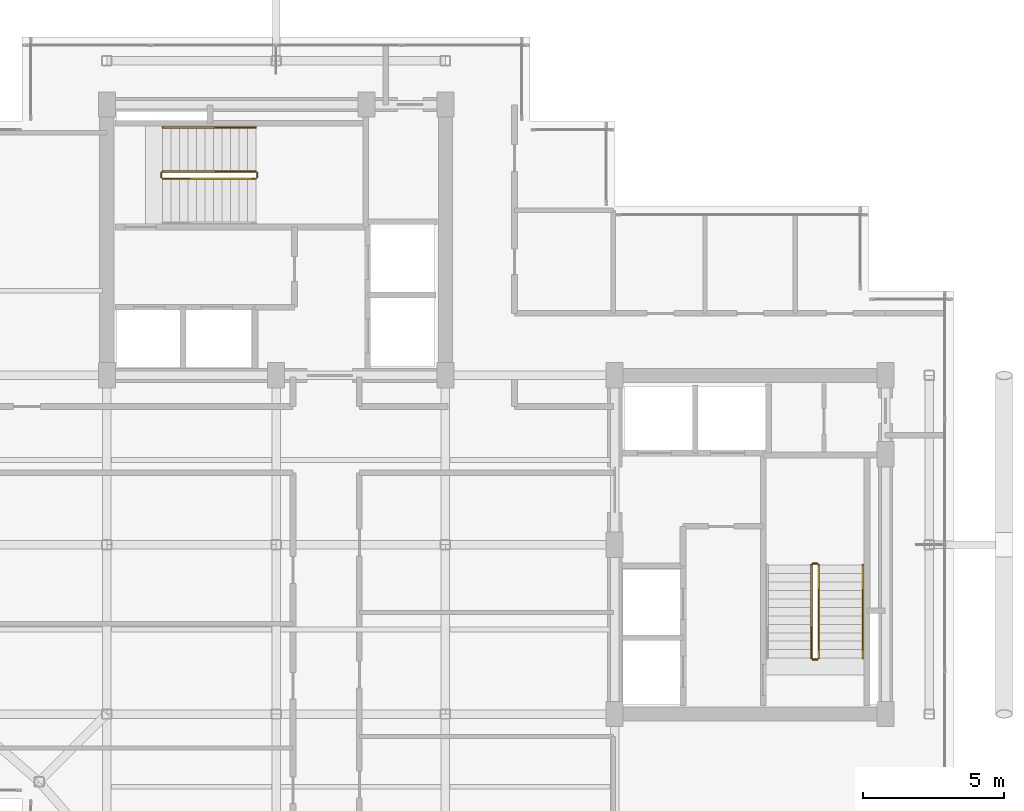
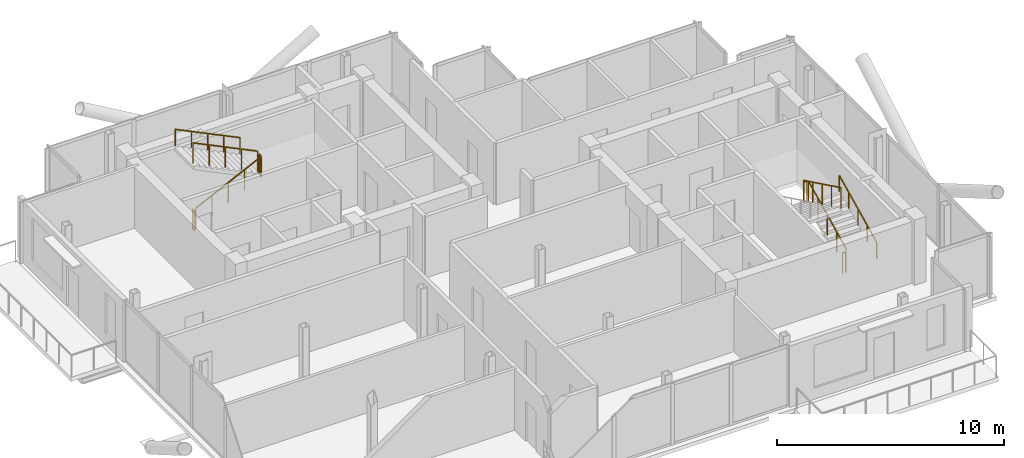
# One storey, part 18 of 18: 10 railings.
"""IFC4 building model written with IfcOpenShell, lengths in metres."""

from ifc_helpers import new_model, si_unit, direction, frame, origin, origin_2d, place, context, subcontext, project, spatial, rectangle, extrude, material, type_object, element, save


model = new_model("IFC4")

# Units and contexts
model_context = context("Model", 3, precision=1e-05, world=origin(), true_north=direction((0.0, 1.0)))
body_context = subcontext(model_context, "Body", "Model", "MODEL_VIEW")
ifc_project = project(units=[si_unit("LENGTHUNIT", "METRE"), si_unit("AREAUNIT", "SQUARE_METRE"), si_unit("VOLUMEUNIT", "CUBIC_METRE"), si_unit("PLANEANGLEUNIT", "RADIAN"), si_unit("MASSUNIT", "GRAM", prefix="KILO"), si_unit("THERMODYNAMICTEMPERATUREUNIT", "KELVIN"), si_unit("POWERUNIT", "WATT")], contexts=[model_context])

# Site, building, storey
site_placement = place(None, origin())
site = spatial("IfcSite", under=ifc_project, at=site_placement, CompositionType="ELEMENT")
building_placement = place(site_placement, origin())
building = spatial("IfcBuilding", under=site, at=building_placement, Name="Svarakhadi Broadcast Tower", CompositionType="ELEMENT")
storey_placement = place(building_placement, frame((0.0, 0.0, 274.699951171875)))
storey = spatial("IfcBuildingStorey", under=building, at=storey_placement, Name="L69", CompositionType="ELEMENT", Elevation=274.699951171875)

# Railings
ifc_material = material(Name="Anodised Bronze Aluminium AA 6063-T6", Category="aluminium")
railing_type_1 = type_object("IfcRailingType", Name="Guard_Stair_GR01", PredefinedType="GUARDRAIL", material=ifc_material)
railing_1_placement = place(storey_placement, frame((7.97998046875, 24.969970703125, 0.14599609375)))
element("IfcRailing", 1, at=railing_1_placement, inside=storey, type_object=railing_type_1, Name="L69 ST-01 stair guard 1", PredefinedType="GUARDRAIL", context=body_context, shape_type="SweptSolid", body=[
    extrude(rectangle(XDim=0.048095703125, YDim=0.048095703125, at=origin_2d()), frame((0.0, 0.0, 1.09619140625), z_axis=(0.899387838337, 0.0, 0.437151594131), x_axis=(0.0, 1.0, 0.0)), (0.0, 0.0, 1.0), 3.669189453125),
    extrude(rectangle(XDim=0.0419921875, YDim=0.0419921875, at=origin_2d()), origin(), (0.0, 0.0, 1.0), 1.072021484375),
    extrude(rectangle(XDim=0.0419921875, YDim=0.0419921875, at=origin_2d()), frame((0.824951171875, 0.0, 0.40087890625)), (0.0, 0.0, 1.0), 1.072021484375),
    extrude(rectangle(XDim=0.0419921875, YDim=0.0419921875, at=origin_2d()), frame((1.64990234375, 0.0, 0.802001953125)), (0.0, 0.0, 1.0), 1.072021484375),
    extrude(rectangle(XDim=0.0419921875, YDim=0.0419921875, at=origin_2d()), frame((2.47509765625, 0.0, 1.203125)), (0.0, 0.0, 1.0), 1.072021484375),
    extrude(rectangle(XDim=0.0419921875, YDim=0.0419921875, at=origin_2d()), frame((3.300048828125, 0.0, 1.60400390625)), (0.0, 0.0, 1.0), 1.072021484375),
])
railing_2_placement = place(storey_placement, frame((11.330078125, 25.02001953125, 1.75)))
element("IfcRailing", 2, at=railing_2_placement, inside=storey, type_object=railing_type_1, Name="L69 ST-01 stair guard 2", PredefinedType="GUARDRAIL", context=body_context, shape_type="SweptSolid", body=[
    extrude(rectangle(XDim=0.048095703125, YDim=0.048095703125, at=origin_2d()), frame((0.0, 0.0, 1.09619140625), z_axis=(0.0, 1.0, 0.0), x_axis=(-1.0, 0.0, 0.0)), (0.0, 0.0, 1.0), 0.159912109375),
    extrude(rectangle(XDim=0.0419921875, YDim=0.0419921875, at=origin_2d()), origin(), (0.0, 0.0, 1.0), 1.072021484375),
    extrude(rectangle(XDim=0.0419921875, YDim=0.0419921875, at=origin_2d()), frame((0.0, 0.159912109375, 0.0)), (0.0, 0.0, 1.0), 1.072021484375),
])
railing_3_placement = place(storey_placement, frame((11.280029296875, 25.22998046875, 1.89599609375)))
element("IfcRailing", 3, at=railing_3_placement, inside=storey, type_object=railing_type_1, Name="L69 ST-01 stair guard 3", PredefinedType="GUARDRAIL", context=body_context, shape_type="SweptSolid", body=[
    extrude(rectangle(XDim=0.048095703125, YDim=0.048095703125, at=origin_2d()), frame((0.0, 0.0, 1.09619140625), z_axis=(-0.899387838337, 0.0, 0.437151594131), x_axis=(0.0, -1.0, 0.0)), (0.0, 0.0, 1.0), 3.669189453125),
    extrude(rectangle(XDim=0.0419921875, YDim=0.0419921875, at=origin_2d()), origin(), (0.0, 0.0, 1.0), 1.072021484375),
    extrude(rectangle(XDim=0.0419921875, YDim=0.0419921875, at=origin_2d()), frame((-0.824951171875, 0.0, 0.40087890625)), (0.0, 0.0, 1.0), 1.072021484375),
    extrude(rectangle(XDim=0.0419921875, YDim=0.0419921875, at=origin_2d()), frame((-1.64990234375, 0.0, 0.802001953125)), (0.0, 0.0, 1.0), 1.072021484375),
    extrude(rectangle(XDim=0.0419921875, YDim=0.0419921875, at=origin_2d()), frame((-2.47509765625, 0.0, 1.203125)), (0.0, 0.0, 1.0), 1.072021484375),
    extrude(rectangle(XDim=0.0419921875, YDim=0.0419921875, at=origin_2d()), frame((-3.300048828125, 0.0, 1.60400390625)), (0.0, 0.0, 1.0), 1.072021484375),
])
railing_4_placement = place(storey_placement, frame((7.929931640625, 25.02001953125, 0.0)))
element("IfcRailing", 4, at=railing_4_placement, inside=storey, type_object=railing_type_1, Name="L69 ST-01 stair guard 4", PredefinedType="GUARDRAIL", context=body_context, shape_type="SweptSolid", body=[
    extrude(rectangle(XDim=0.048095703125, YDim=0.048095703125, at=origin_2d()), frame((0.0, 0.0, 1.09619140625), z_axis=(0.0, 1.0, 0.0), x_axis=(-1.0, 0.0, 0.0)), (0.0, 0.0, 1.0), 0.159912109375),
    extrude(rectangle(XDim=0.0419921875, YDim=0.0419921875, at=origin_2d()), origin(), (0.0, 0.0, 1.0), 1.072021484375),
    extrude(rectangle(XDim=0.0419921875, YDim=0.0419921875, at=origin_2d()), frame((0.0, 0.159912109375, 0.0)), (0.0, 0.0, 1.0), 1.072021484375),
])
railing_5_placement = place(storey_placement, frame((31.22998046875, 7.97998046875, 0.14599609375)))
element("IfcRailing", 5, at=railing_5_placement, inside=storey, type_object=railing_type_1, Name="L69 ST-02 stair guard 1", PredefinedType="GUARDRAIL", context=body_context, shape_type="SweptSolid", body=[
    extrude(rectangle(XDim=0.048095703125, YDim=0.048095703125, at=origin_2d()), frame((0.0, 0.0, 1.09619140625), z_axis=(0.0, 0.899387838337, 0.437151594131), x_axis=(-1.0, 0.0, 0.0)), (0.0, 0.0, 1.0), 3.669189453125),
    extrude(rectangle(XDim=0.0419921875, YDim=0.0419921875, at=origin_2d()), origin(), (0.0, 0.0, 1.0), 1.072021484375),
    extrude(rectangle(XDim=0.0419921875, YDim=0.0419921875, at=origin_2d()), frame((0.0, 0.824951171875, 0.40087890625)), (0.0, 0.0, 1.0), 1.072021484375),
    extrude(rectangle(XDim=0.0419921875, YDim=0.0419921875, at=origin_2d()), frame((0.0, 1.64990234375, 0.802001953125)), (0.0, 0.0, 1.0), 1.072021484375),
    extrude(rectangle(XDim=0.0419921875, YDim=0.0419921875, at=origin_2d()), frame((0.0, 2.47509765625, 1.203125)), (0.0, 0.0, 1.0), 1.072021484375),
    extrude(rectangle(XDim=0.0419921875, YDim=0.0419921875, at=origin_2d()), frame((0.0, 3.300048828125, 1.60400390625)), (0.0, 0.0, 1.0), 1.072021484375),
])
railing_6_placement = place(storey_placement, frame((31.179931640625, 11.330078125, 1.75)))
element("IfcRailing", 6, at=railing_6_placement, inside=storey, type_object=railing_type_1, Name="L69 ST-02 stair guard 2", PredefinedType="GUARDRAIL", context=body_context, shape_type="SweptSolid", body=[
    extrude(rectangle(XDim=0.048095703125, YDim=0.048095703125, at=origin_2d()), frame((0.0, 0.0, 1.09619140625), z_axis=(-1.0, 0.0, 0.0), x_axis=(0.0, -1.0, 0.0)), (0.0, 0.0, 1.0), 0.159912109375),
    extrude(rectangle(XDim=0.0419921875, YDim=0.0419921875, at=origin_2d()), origin(), (0.0, 0.0, 1.0), 1.072021484375),
    extrude(rectangle(XDim=0.0419921875, YDim=0.0419921875, at=origin_2d()), frame((-0.159912109375, 0.0, 0.0)), (0.0, 0.0, 1.0), 1.072021484375),
])
railing_7_placement = place(storey_placement, frame((30.969970703125, 11.280029296875, 1.89599609375)))
element("IfcRailing", 7, at=railing_7_placement, inside=storey, type_object=railing_type_1, Name="L69 ST-02 stair guard 3", PredefinedType="GUARDRAIL", context=body_context, shape_type="SweptSolid", body=[
    extrude(rectangle(XDim=0.048095703125, YDim=0.048095703125, at=origin_2d()), frame((0.0, 0.0, 1.09619140625), z_axis=(0.0, -0.899387838337, 0.437151594131), x_axis=(1.0, 0.0, 0.0)), (0.0, 0.0, 1.0), 3.669189453125),
    extrude(rectangle(XDim=0.0419921875, YDim=0.0419921875, at=origin_2d()), origin(), (0.0, 0.0, 1.0), 1.072021484375),
    extrude(rectangle(XDim=0.0419921875, YDim=0.0419921875, at=origin_2d()), frame((0.0, -0.824951171875, 0.40087890625)), (0.0, 0.0, 1.0), 1.072021484375),
    extrude(rectangle(XDim=0.0419921875, YDim=0.0419921875, at=origin_2d()), frame((0.0, -1.64990234375, 0.802001953125)), (0.0, 0.0, 1.0), 1.072021484375),
    extrude(rectangle(XDim=0.0419921875, YDim=0.0419921875, at=origin_2d()), frame((0.0, -2.47509765625, 1.203125)), (0.0, 0.0, 1.0), 1.072021484375),
    extrude(rectangle(XDim=0.0419921875, YDim=0.0419921875, at=origin_2d()), frame((0.0, -3.300048828125, 1.60400390625)), (0.0, 0.0, 1.0), 1.072021484375),
])
railing_8_placement = place(storey_placement, frame((31.179931640625, 7.929931640625, 0.0)))
element("IfcRailing", 8, at=railing_8_placement, inside=storey, type_object=railing_type_1, Name="L69 ST-02 stair guard 4", PredefinedType="GUARDRAIL", context=body_context, shape_type="SweptSolid", body=[
    extrude(rectangle(XDim=0.048095703125, YDim=0.048095703125, at=origin_2d()), frame((0.0, 0.0, 1.09619140625), z_axis=(-1.0, 0.0, 0.0), x_axis=(0.0, -1.0, 0.0)), (0.0, 0.0, 1.0), 0.159912109375),
    extrude(rectangle(XDim=0.0419921875, YDim=0.0419921875, at=origin_2d()), origin(), (0.0, 0.0, 1.0), 1.072021484375),
    extrude(rectangle(XDim=0.0419921875, YDim=0.0419921875, at=origin_2d()), frame((-0.159912109375, 0.0, 0.0)), (0.0, 0.0, 1.0), 1.072021484375),
])
railing_type_2 = type_object("IfcRailingType", Name="Handrail_Stair_HR01", PredefinedType="HANDRAIL", material=ifc_material)
railing_9_placement = place(storey_placement, frame((11.280029296875, 26.7900390625, 1.89599609375)))
element("IfcRailing", 9, at=railing_9_placement, inside=storey, type_object=railing_type_2, Name="L69 ST-01 stair handrail 2", PredefinedType="HANDRAIL", context=body_context, shape_type="SweptSolid", body=[
    extrude(rectangle(XDim=0.048095703125, YDim=0.048095703125, at=origin_2d()), frame((0.0, 0.0, 0.8759765625), z_axis=(-0.899387838337, 0.0, 0.437151594131), x_axis=(0.0, -1.0, 0.0)), (0.0, 0.0, 1.0), 3.669189453125),
    extrude(rectangle(XDim=0.0419921875, YDim=0.0419921875, at=origin_2d()), origin(), (0.0, 0.0, 1.0), 0.851806640625),
    extrude(rectangle(XDim=0.0419921875, YDim=0.0419921875, at=origin_2d()), frame((-0.824951171875, 0.0, 0.40087890625)), (0.0, 0.0, 1.0), 0.851806640625),
    extrude(rectangle(XDim=0.0419921875, YDim=0.0419921875, at=origin_2d()), frame((-1.64990234375, 0.0, 0.802001953125)), (0.0, 0.0, 1.0), 0.851806640625),
    extrude(rectangle(XDim=0.0419921875, YDim=0.0419921875, at=origin_2d()), frame((-2.47509765625, 0.0, 1.203125)), (0.0, 0.0, 1.0), 0.851806640625),
    extrude(rectangle(XDim=0.0419921875, YDim=0.0419921875, at=origin_2d()), frame((-3.300048828125, 0.0, 1.60400390625)), (0.0, 0.0, 1.0), 0.851806640625),
])
railing_10_placement = place(storey_placement, frame((32.7900390625, 7.97998046875, 0.14599609375)))
element("IfcRailing", 10, at=railing_10_placement, inside=storey, type_object=railing_type_2, Name="L69 ST-02 stair handrail 1", PredefinedType="HANDRAIL", context=body_context, shape_type="SweptSolid", body=[
    extrude(rectangle(XDim=0.048095703125, YDim=0.048095703125, at=origin_2d()), frame((0.0, 0.0, 0.8759765625), z_axis=(0.0, 0.899387838337, 0.437151594131), x_axis=(-1.0, 0.0, 0.0)), (0.0, 0.0, 1.0), 3.669189453125),
    extrude(rectangle(XDim=0.0419921875, YDim=0.0419921875, at=origin_2d()), origin(), (0.0, 0.0, 1.0), 0.851806640625),
    extrude(rectangle(XDim=0.0419921875, YDim=0.0419921875, at=origin_2d()), frame((0.0, 0.824951171875, 0.40087890625)), (0.0, 0.0, 1.0), 0.851806640625),
    extrude(rectangle(XDim=0.0419921875, YDim=0.0419921875, at=origin_2d()), frame((0.0, 1.64990234375, 0.802001953125)), (0.0, 0.0, 1.0), 0.851806640625),
    extrude(rectangle(XDim=0.0419921875, YDim=0.0419921875, at=origin_2d()), frame((0.0, 2.47509765625, 1.203125)), (0.0, 0.0, 1.0), 0.851806640625),
    extrude(rectangle(XDim=0.0419921875, YDim=0.0419921875, at=origin_2d()), frame((0.0, 3.300048828125, 1.60400390625)), (0.0, 0.0, 1.0), 0.851806640625),
])

save(model, "model.ifc")
